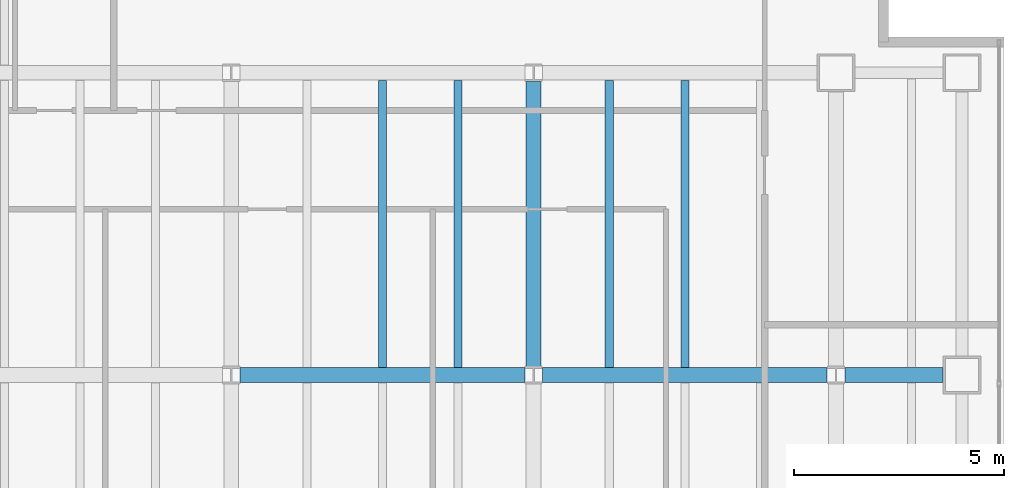
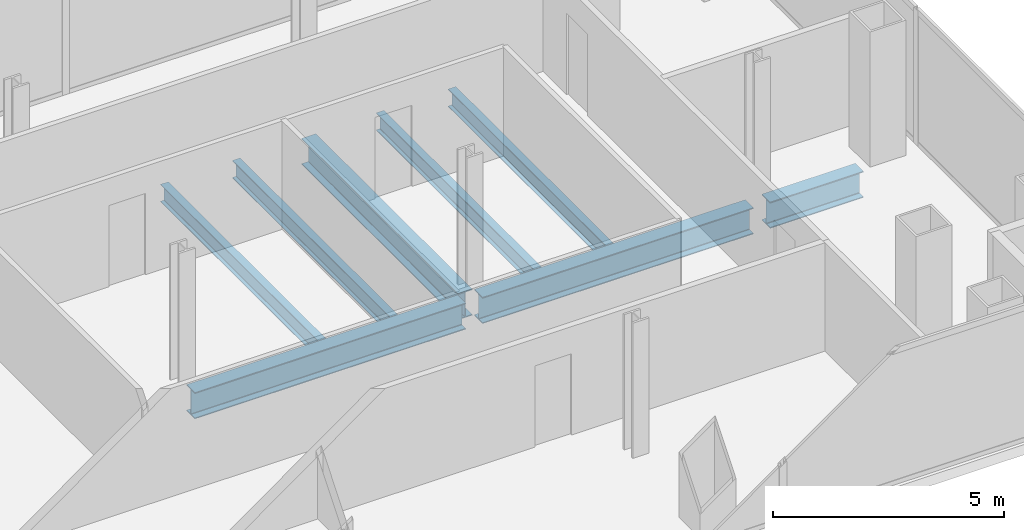
# One storey, part 12 of 23: 8 beams.
"""IFC4 building model written with IfcOpenShell, lengths in metres."""

from ifc_helpers import new_model, si_unit, direction, frame, origin, origin_2d, place, context, subcontext, project, spatial, i_section, extrude, material, material_profile, profile_set, type_object, element, save


model = new_model("IFC4")

# Units and contexts
model_context = context("Model", 3, precision=1e-05, world=origin(), true_north=direction((0.0, 1.0)))
body_context = subcontext(model_context, "Body", "Model", "MODEL_VIEW")
ifc_project = project(units=[si_unit("LENGTHUNIT", "METRE"), si_unit("AREAUNIT", "SQUARE_METRE"), si_unit("VOLUMEUNIT", "CUBIC_METRE"), si_unit("PLANEANGLEUNIT", "RADIAN"), si_unit("MASSUNIT", "GRAM", prefix="KILO")], contexts=[model_context])

# Site, building, storey
site_placement = place(None, origin())
site = spatial("IfcSite", under=ifc_project, at=site_placement, CompositionType="ELEMENT")
building_placement = place(site_placement, origin())
building = spatial("IfcBuilding", under=site, at=building_placement, Name="Cobrela Telecom Tower", CompositionType="ELEMENT")
storey_placement = place(building_placement, frame((0.0, 0.0, 125.300048828125)))
storey = spatial("IfcBuildingStorey", under=building, at=storey_placement, Name="L31", CompositionType="ELEMENT", Elevation=125.300048828125)

# Beams
ifc_material = material(Name="Steel ASTM A992 Grade 50", Category="steel")
ifc_material_profile_1 = material_profile(ifc_material, i_section(OverallWidth=0.35595703125, OverallDepth=0.696044921875, WebThickness=0.015380859375, FlangeThickness=0.024658203125, FilletRadius=0.01806640625, at=origin_2d()), Name="W27X146")
ifc_profile_set_1 = profile_set([ifc_material_profile_1], Name="Steel ASTM A992 Grade 50")
beam_type_1 = type_object("IfcBeamType", Name="BM-GIRD-05", PredefinedType="USERDEFINED", material=ifc_profile_set_1)
for number, where, z_axis, x_axis, name in (
    (1, (29.009521484375, 14.39990234375, -0.6181640625), (1.0, 0.0, 0.0), (0.0, 1.0, 0.0), "L31 Primary Girder X15"),
    (2, (36.20947265625, 14.39990234375, -0.6181640625), (1.0, 0.0, 0.0), (0.0, 1.0, 0.0), "L31 Primary Girder X16"),
):
    element("IfcBeam", number, at=place(storey_placement, frame(where, z_axis=z_axis, x_axis=x_axis)), inside=storey, type_object=beam_type_1, Name=name, ObjectType="GIRDER", PredefinedType="USERDEFINED", context=body_context, shape_type="SweptSolid", body=[
        extrude(i_section(OverallWidth=0.35595703125, OverallDepth=0.696044921875, WebThickness=0.015380859375, FlangeThickness=0.024658203125, FilletRadius=0.01806640625, at=origin_2d()), origin(), (0.0, 0.0, 1.0), 6.781005859375),
    ])
beam_1_placement = place(storey_placement, frame((43.409423828125, 14.39990234375, -0.6181640625), z_axis=(1.0, 0.0, 0.0), x_axis=(0.0, 1.0, 0.0)))
element("IfcBeam", 3, at=beam_1_placement, inside=storey, type_object=beam_type_1, Name="L31 Primary Girder X17", ObjectType="GIRDER", PredefinedType="USERDEFINED", context=body_context, shape_type="SweptSolid", body=[
    extrude(i_section(OverallWidth=0.35595703125, OverallDepth=0.696044921875, WebThickness=0.015380859375, FlangeThickness=0.024658203125, FilletRadius=0.01806640625, at=origin_2d()), origin(), (0.0, 0.0, 1.0), 2.335693359375),
])
beam_2_placement = place(storey_placement, frame((36.0, 14.609619140625, -0.6181640625), z_axis=(0.0, 1.0, 0.0), x_axis=(-1.0, 0.0, 0.0)))
element("IfcBeam", 4, at=beam_2_placement, inside=storey, type_object=beam_type_1, Name="L31 Primary Girder Y51", ObjectType="GIRDER", PredefinedType="USERDEFINED", context=body_context, shape_type="SweptSolid", body=[
    extrude(i_section(OverallWidth=0.35595703125, OverallDepth=0.696044921875, WebThickness=0.015380859375, FlangeThickness=0.024658203125, FilletRadius=0.01806640625, at=origin_2d()), origin(), (0.0, 0.0, 1.0), 6.78076171875),
])
ifc_material_profile_2 = material_profile(ifc_material, i_section(OverallWidth=0.193115234375, OverallDepth=0.467041015625, WebThickness=0.011474609375, FlangeThickness=0.01904296875, FilletRadius=0.012939453125, at=origin_2d()), Name="W18X65")
ifc_profile_set_2 = profile_set([ifc_material_profile_2], Name="Steel ASTM A992 Grade 50")
beam_type_2 = type_object("IfcBeamType", Name="BM-JOIST-03", PredefinedType="JOIST", material=ifc_profile_set_2)
for number, where, z_axis, x_axis, name in (
    (5, (32.39990234375, 14.5830078125, -0.503662109375), (0.0, 1.0, 0.0), (-1.0, 0.0, 0.0), "L31 Secondary Composite Floor Beam J30"),
    (6, (34.199951171875, 14.5830078125, -0.503662109375), (0.0, 1.0, 0.0), (-1.0, 0.0, 0.0), "L31 Secondary Composite Floor Beam J32"),
    (7, (37.800048828125, 14.5830078125, -0.503662109375), (0.0, 1.0, 0.0), (-1.0, 0.0, 0.0), "L31 Secondary Composite Floor Beam J34"),
    (8, (39.60009765625, 14.5830078125, -0.503662109375), (0.0, 1.0, 0.0), (-1.0, 0.0, 0.0), "L31 Secondary Composite Floor Beam J36"),
):
    element("IfcBeam", number, at=place(storey_placement, frame(where, z_axis=z_axis, x_axis=x_axis)), inside=storey, type_object=beam_type_2, Name=name, PredefinedType="JOIST", context=body_context, shape_type="SweptSolid", body=[
        extrude(i_section(OverallWidth=0.193115234375, OverallDepth=0.467041015625, WebThickness=0.011474609375, FlangeThickness=0.01904296875, FilletRadius=0.012939453125, at=origin_2d()), origin(), (0.0, 0.0, 1.0), 6.833984375),
    ])

save(model, "model.ifc")
